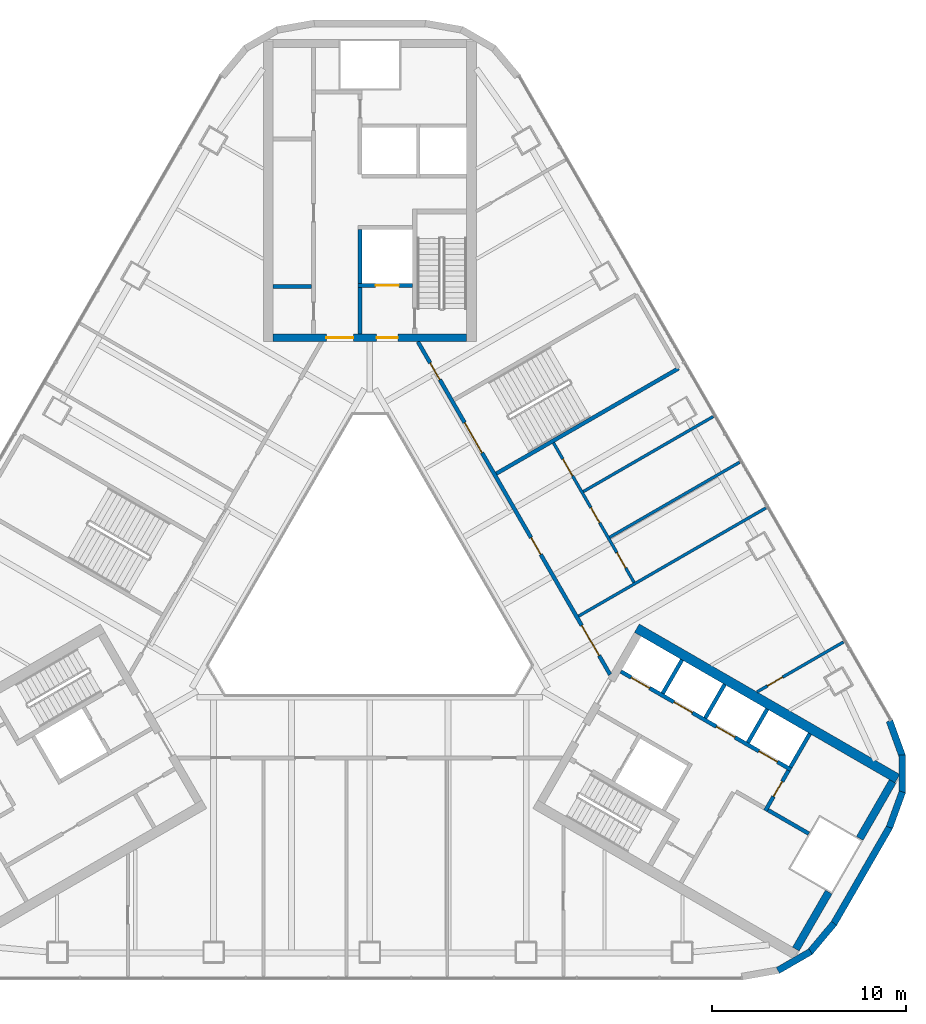
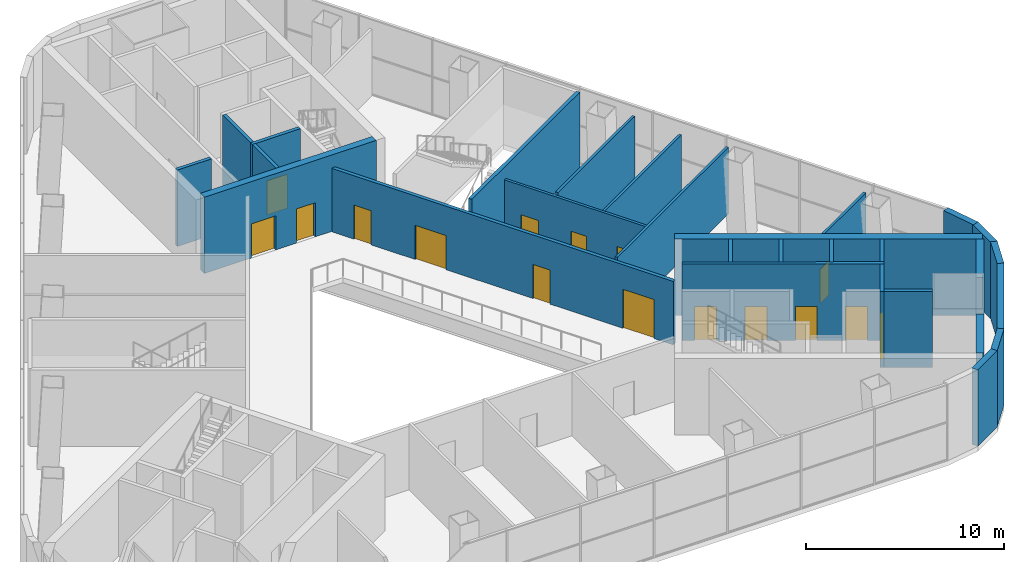
# One storey, part 9 of 13: 28 walls, 16 doors, 16 openings.
"""IFC4 building model written with IfcOpenShell, lengths in metres."""

from ifc_helpers import new_model, si_unit, direction, frame, frame_2d, origin, place, context, subcontext, project, spatial, rectangle, extrude, material, layer, layer_set, type_object, element, fill, save


model = new_model("IFC4")

# Units and contexts
model_context = context("Model", 3, precision=1e-05, world=origin(), true_north=direction((0.0, 1.0)))
body_context = subcontext(model_context, "Body", "Model", "MODEL_VIEW")
ifc_project = project(units=[si_unit("LENGTHUNIT", "METRE"), si_unit("AREAUNIT", "SQUARE_METRE"), si_unit("VOLUMEUNIT", "CUBIC_METRE"), si_unit("PLANEANGLEUNIT", "RADIAN"), si_unit("MASSUNIT", "GRAM", prefix="KILO")], contexts=[model_context])

# Site, building, storey
site_placement = place(None, origin())
site = spatial("IfcSite", under=ifc_project, at=site_placement, CompositionType="ELEMENT")
building_placement = place(site_placement, origin())
building = spatial("IfcBuilding", under=site, at=building_placement, Name="Apuvela Tower Hotel", CompositionType="ELEMENT")
storey_placement = place(building_placement, frame((0.0, 0.0, 23.5)))
storey = spatial("IfcBuildingStorey", under=building, at=storey_placement, Name="L03", CompositionType="ELEMENT", Elevation=23.5)

# Wall, openings, doors
ifc_material_1 = material(Name="Concrete C50/60", Category="concrete")
ifc_layer_1 = layer(ifc_material_1, 0.39990234375)
ifc_layer_set_1 = layer_set([ifc_layer_1], Name="COR-WALL-CORE-400")
wall_type_1 = type_object("IfcWallType", Name="COR-WALL-CORE-400", PredefinedType="SHEAR", material=ifc_layer_set_1)
wall_1_placement = place(storey_placement, frame((5.0, 13.10009765625, 0.0), z_axis=(0.0, 0.0, 1.0), x_axis=(-1.0, 0.0, 0.0)))
wall_1 = element("IfcWall", 1, at=wall_1_placement, inside=storey, type_object=wall_type_1, Name="Core wall N", PredefinedType="SHEAR", context=body_context, shape_type="SweptSolid", body=[
    extrude(rectangle(XDim=10.0, YDim=0.39990234375, at=frame_2d((5.0, 0.0))), origin(), (0.0, 0.0, 1.0), 4.699951171875),
])
opening_1_placement = place(wall_1_placement, frame((3.550048828125, 0.0, 0.0)))
opening_1 = element("IfcOpeningElement", 2, at=opening_1_placement, cuts=wall_1, Name="Opening N-FD", PredefinedType="OPENING", context=body_context, shape_type="SweptSolid", body=[
    extrude(rectangle(XDim=1.10009765625, YDim=2.10009765625, at=frame_2d((0.550048828125, 1.050048828125))), frame((0.0, 0.2099609375, 0.0), z_axis=(0.0, -1.0, 0.0), x_axis=(1.0, 0.0, 0.0)), (0.0, 0.0, 1.0), 0.419921875),
])
opening_2_placement = place(wall_1_placement, frame((5.85009765625, 0.0, 0.0)))
opening_2 = element("IfcOpeningElement", 3, at=opening_2_placement, cuts=wall_1, Name="Opening N-GD", PredefinedType="OPENING", context=body_context, shape_type="SweptSolid", body=[
    extrude(rectangle(XDim=1.39990234375, YDim=2.10009765625, at=frame_2d((0.699951171875, 1.050048828125))), frame((0.0, 0.2099609375, 0.0), z_axis=(0.0, -1.0, 0.0), x_axis=(1.0, 0.0, 0.0)), (0.0, 0.0, 1.0), 0.419921875),
])
ifc_material_2 = material(Name="Steel fire door, powder coated", Category="steel")
door_type_1 = type_object("IfcDoorType", Name="COR-FD-1100", OperationType="NOTDEFINED", PredefinedType="DOOR", material=ifc_material_2)
door_1_placement = place(opening_1_placement, frame((1.10009765625, 0.0, 0.0), z_axis=(0.0, 0.0, 1.0), x_axis=(-1.0, 0.0, 0.0)))
door_1 = element("IfcDoor", 4, at=door_1_placement, inside=storey, type_object=door_type_1, Name="Firefighting lobby door N-FD", OperationType="SINGLE_SWING_LEFT", OverallHeight=2.10009765625, OverallWidth=1.10009765625, PredefinedType="DOOR", context=body_context, shape_type="SweptSolid", body=[
    extrude(rectangle(XDim=1.10009765625, YDim=2.10009765625, at=frame_2d((0.550048828125, 1.050048828125))), frame((0.0, 0.02490234375, 0.0), z_axis=(0.0, -1.0, 0.0), x_axis=(1.0, 0.0, 0.0)), (0.0, 0.0, 1.0), 0.050048828125),
])
fill(opening_1, door_1)
ifc_material_3 = material(Name="Glazed steel fire door", Category="steel")
door_type_2 = type_object("IfcDoorType", Name="COR-GD-1400", OperationType="DOUBLE_DOOR_SINGLE_SWING", PredefinedType="DOOR", material=ifc_material_3)
door_2_placement = place(opening_2_placement, frame((1.39990234375, 0.0, 0.0), z_axis=(0.0, 0.0, 1.0), x_axis=(-1.0, 0.0, 0.0)))
door_2 = element("IfcDoor", 5, at=door_2_placement, inside=storey, type_object=door_type_2, Name="Lift lobby door N-GD", OperationType="DOUBLE_DOOR_SINGLE_SWING", OverallHeight=2.10009765625, OverallWidth=1.39990234375, PredefinedType="DOOR", context=body_context, shape_type="SweptSolid", body=[
    extrude(rectangle(XDim=1.39990234375, YDim=2.10009765625, at=frame_2d((0.699951171875, 1.050048828125))), frame((0.0, 0.02490234375, 0.0), z_axis=(0.0, -1.0, 0.0), x_axis=(1.0, 0.0, 0.0)), (0.0, 0.0, 1.0), 0.050048828125),
])
fill(opening_2, door_2)

# Walls
wall_2_placement = place(storey_placement, frame((25.30859375, -12.764404296875, 0.0), z_axis=(0.0, 0.0, 1.0), x_axis=(0.499977295307, 0.866038511948, 0.0)))
element("IfcWall", 6, at=wall_2_placement, inside=storey, type_object=wall_type_1, Name="Core wall SE", PredefinedType="SHEAR", context=body_context, shape_type="SweptSolid", body=[
    extrude(rectangle(XDim=3.400146484375, YDim=0.39990234375, at=frame_2d((1.7001953125, 0.0))), origin(), (0.0, 0.0, 1.0), 4.699951171875),
])
wall_3_placement = place(storey_placement, frame((22.008544921875, -18.47998046875, 0.0), z_axis=(0.0, 0.0, 1.0), x_axis=(0.500008388397, 0.866020560687, 0.0)))
element("IfcWall", 7, at=wall_3_placement, inside=storey, type_object=wall_type_1, Name="Core wall SE", PredefinedType="SHEAR", context=body_context, shape_type="SweptSolid", body=[
    extrude(rectangle(XDim=3.39990234375, YDim=0.39990234375, at=frame_2d((1.699951171875, 0.0))), origin(), (0.0, 0.0, 1.0), 4.699951171875),
])
ifc_layer_2 = layer(ifc_material_1, 0.5)
ifc_layer_set_2 = layer_set([ifc_layer_2], Name="COR-WALL-CORE-500")
wall_type_2 = type_object("IfcWallType", Name="COR-WALL-CORE-500", PredefinedType="SHEAR", material=ifc_layer_set_2)
wall_4_placement = place(storey_placement, frame((13.796630859375, -1.9033203125, 0.0), z_axis=(0.0, 0.0, 1.0), x_axis=(0.866025760136, -0.499999382781, 0.0)))
element("IfcWall", 8, at=wall_4_placement, inside=storey, type_object=wall_type_2, Name="Core wall SE", PredefinedType="SHEAR", context=body_context, shape_type="SweptSolid", body=[
    extrude(rectangle(XDim=15.54248046875, YDim=0.5, at=frame_2d((7.771240234375, 0.0))), origin(), (0.0, 0.0, 1.0), 4.699951171875),
])

# Wall, opening, door
ifc_layer_3 = layer(ifc_material_1, 0.199951171875)
ifc_layer_set_3 = layer_set([ifc_layer_3], Name="COR-WALL-SHAFT-200")
wall_type_3 = type_object("IfcWallType", Name="COR-WALL-SHAFT-200", PredefinedType="SHEAR", material=ifc_layer_set_3)
wall_5_placement = place(storey_placement, frame((2.199951171875, 15.800048828125, 0.0), z_axis=(0.0, 0.0, 1.0), x_axis=(-1.0, 0.0, 0.0)))
wall_5 = element("IfcWall", 9, at=wall_5_placement, inside=storey, type_object=wall_type_3, Name="Shaft wall N", PredefinedType="SHEAR", context=body_context, shape_type="SweptSolid", body=[
    extrude(rectangle(XDim=2.800048828125, YDim=0.199951171875, at=frame_2d((1.39990234375, 0.0))), origin(), (0.0, 0.0, 1.0), 4.699951171875),
])
opening_3_placement = place(wall_5_placement, frame((0.699951171875, 0.0, 0.0)))
opening_3 = element("IfcOpeningElement", 10, at=opening_3_placement, cuts=wall_5, Name="Opening N-LD-FS1", PredefinedType="OPENING", context=body_context, shape_type="SweptSolid", body=[
    extrude(rectangle(XDim=1.199951171875, YDim=2.10009765625, at=frame_2d((0.60009765625, 1.050048828125))), frame((0.0, 0.10986328125, 0.0), z_axis=(0.0, -1.0, 0.0), x_axis=(1.0, 0.0, 0.0)), (0.0, 0.0, 1.0), 0.219970703125),
])
ifc_material_4 = material(Name="Stainless steel lift landing door", Category="steel")
door_type_3 = type_object("IfcDoorType", Name="COR-LD-1200", OperationType="DOUBLE_DOOR_SLIDING", PredefinedType="DOOR", material=ifc_material_4)
door_3_placement = place(opening_3_placement, origin())
door_3 = element("IfcDoor", 11, at=door_3_placement, inside=storey, type_object=door_type_3, Name="Lift landing door N-LD-FS1", OperationType="DOUBLE_DOOR_SLIDING", OverallHeight=2.10009765625, OverallWidth=1.199951171875, PredefinedType="DOOR", context=body_context, shape_type="SweptSolid", body=[
    extrude(rectangle(XDim=1.199951171875, YDim=2.10009765625, at=frame_2d((0.60009765625, 1.050048828125))), frame((0.0, 0.02490234375, 0.0), z_axis=(0.0, -1.0, 0.0), x_axis=(1.0, 0.0, 0.0)), (0.0, 0.0, 1.0), 0.050048828125),
])
fill(opening_3, door_3)

# Walls
wall_6_placement = place(storey_placement, frame((-0.5, 15.89990234375, 0.0), z_axis=(0.0, 0.0, 1.0), x_axis=(0.0, 1.0, 0.0)))
element("IfcWall", 12, at=wall_6_placement, inside=storey, type_object=wall_type_3, Name="Shaft wall N", PredefinedType="SHEAR", context=body_context, shape_type="SweptSolid", body=[
    extrude(rectangle(XDim=2.800048828125, YDim=0.199951171875, at=frame_2d((1.39990234375, 0.0))), origin(), (0.0, 0.0, 1.0), 4.699951171875),
])
wall_7_placement = place(storey_placement, frame((-0.5, 13.300048828125, 0.0), z_axis=(0.0, 0.0, 1.0), x_axis=(0.0, 1.0, 0.0)))
element("IfcWall", 13, at=wall_7_placement, inside=storey, type_object=wall_type_3, Name="Shaft wall N", PredefinedType="SHEAR", context=body_context, shape_type="SweptSolid", body=[
    extrude(rectangle(XDim=2.39990234375, YDim=0.199951171875, at=frame_2d((1.199951171875, 0.0))), origin(), (0.0, 0.0, 1.0), 4.699951171875),
])
wall_8_placement = place(storey_placement, frame((-3.0, 15.739990234375, 0.0), z_axis=(0.0, 0.0, 1.0), x_axis=(-1.0, 0.0, 0.0)))
element("IfcWall", 14, at=wall_8_placement, inside=storey, type_object=wall_type_3, Name="Shaft wall N", PredefinedType="SHEAR", context=body_context, shape_type="SweptSolid", body=[
    extrude(rectangle(XDim=2.0, YDim=0.199951171875, at=frame_2d((1.0, 0.0))), origin(), (0.0, 0.0, 1.0), 4.699951171875),
])

# Wall, openings, doors
wall_9_placement = place(storey_placement, frame((12.968017578125, -4.138427734375, 0.0), z_axis=(0.0, 0.0, 1.0), x_axis=(0.866028328073, -0.49999493495, 0.0)))
wall_9 = element("IfcWall", 15, at=wall_9_placement, inside=storey, type_object=wall_type_3, Name="Shaft wall SE", PredefinedType="SHEAR", context=body_context, shape_type="SweptSolid", body=[
    extrude(rectangle(XDim=10.16015625, YDim=0.199951171875, at=frame_2d((5.080078125, 0.0))), origin(), (0.0, 0.0, 1.0), 4.699951171875),
])
opening_4_placement = place(wall_9_placement, frame((0.6201171875, 0.0, 0.0)))
opening_4 = element("IfcOpeningElement", 16, at=opening_4_placement, cuts=wall_9, Name="Opening E-LD-LR1", PredefinedType="OPENING", context=body_context, shape_type="SweptSolid", body=[
    extrude(rectangle(XDim=1.10009765625, YDim=2.10009765625, at=frame_2d((0.550048828125, 1.050048828125))), frame((0.0, 0.10986328125, 0.0), z_axis=(0.0, -1.0, 0.0), x_axis=(1.0, 0.0, 0.0)), (0.0, 0.0, 1.0), 0.219970703125),
])
opening_5_placement = place(wall_9_placement, frame((3.159912109375, 0.0, 0.0)))
opening_5 = element("IfcOpeningElement", 17, at=opening_5_placement, cuts=wall_9, Name="Opening E-LD-LR2", PredefinedType="OPENING", context=body_context, shape_type="SweptSolid", body=[
    extrude(rectangle(XDim=1.10009765625, YDim=2.10009765625, at=frame_2d((0.550048828125, 1.050048828125))), frame((0.0, 0.10986328125, 0.0), z_axis=(0.0, -1.0, 0.0), x_axis=(1.0, 0.0, 0.0)), (0.0, 0.0, 1.0), 0.219970703125),
])
opening_6_placement = place(wall_9_placement, frame((5.699951171875, 0.0, 0.0)))
opening_6 = element("IfcOpeningElement", 18, at=opening_6_placement, cuts=wall_9, Name="Opening E-LD-LR3", PredefinedType="OPENING", context=body_context, shape_type="SweptSolid", body=[
    extrude(rectangle(XDim=1.10009765625, YDim=2.10009765625, at=frame_2d((0.550048828125, 1.050048828125))), frame((0.0, 0.10986328125, 0.0), z_axis=(0.0, -1.0, 0.0), x_axis=(1.0, 0.0, 0.0)), (0.0, 0.0, 1.0), 0.219970703125),
])
opening_7_placement = place(wall_9_placement, frame((8.239990234375, 0.0, 0.0)))
opening_7 = element("IfcOpeningElement", 19, at=opening_7_placement, cuts=wall_9, Name="Opening E-LD-LR4", PredefinedType="OPENING", context=body_context, shape_type="SweptSolid", body=[
    extrude(rectangle(XDim=1.10009765625, YDim=2.10009765625, at=frame_2d((0.550048828125, 1.050048828125))), frame((0.0, 0.10986328125, 0.0), z_axis=(0.0, -1.0, 0.0), x_axis=(1.0, 0.0, 0.0)), (0.0, 0.0, 1.0), 0.219970703125),
])
door_type_4 = type_object("IfcDoorType", Name="COR-LD-1100", OperationType="DOUBLE_DOOR_SLIDING", PredefinedType="DOOR", material=ifc_material_4)
door_4_placement = place(opening_4_placement, origin())
door_4 = element("IfcDoor", 20, at=door_4_placement, inside=storey, type_object=door_type_4, Name="Lift landing door E-LD-LR1", OperationType="DOUBLE_DOOR_SLIDING", OverallHeight=2.10009765625, OverallWidth=1.10009765625, PredefinedType="DOOR", context=body_context, shape_type="SweptSolid", body=[
    extrude(rectangle(XDim=1.10009765625, YDim=2.10009765625, at=frame_2d((0.550048828125, 1.050048828125))), frame((0.0, 0.02490234375, 0.0), z_axis=(0.0, -1.0, 0.0), x_axis=(1.0, 0.0, 0.0)), (0.0, 0.0, 1.0), 0.050048828125),
])
fill(opening_4, door_4)
door_5_placement = place(opening_5_placement, origin())
door_5 = element("IfcDoor", 21, at=door_5_placement, inside=storey, type_object=door_type_4, Name="Lift landing door E-LD-LR2", OperationType="DOUBLE_DOOR_SLIDING", OverallHeight=2.10009765625, OverallWidth=1.10009765625, PredefinedType="DOOR", context=body_context, shape_type="SweptSolid", body=[
    extrude(rectangle(XDim=1.10009765625, YDim=2.10009765625, at=frame_2d((0.550048828125, 1.050048828125))), frame((0.0, 0.02490234375, 0.0), z_axis=(0.0, -1.0, 0.0), x_axis=(1.0, 0.0, 0.0)), (0.0, 0.0, 1.0), 0.050048828125),
])
fill(opening_5, door_5)
door_6_placement = place(opening_6_placement, origin())
door_6 = element("IfcDoor", 22, at=door_6_placement, inside=storey, type_object=door_type_4, Name="Lift landing door E-LD-LR3", OperationType="DOUBLE_DOOR_SLIDING", OverallHeight=2.10009765625, OverallWidth=1.10009765625, PredefinedType="DOOR", context=body_context, shape_type="SweptSolid", body=[
    extrude(rectangle(XDim=1.10009765625, YDim=2.10009765625, at=frame_2d((0.550048828125, 1.050048828125))), frame((0.0, 0.02490234375, 0.0), z_axis=(0.0, -1.0, 0.0), x_axis=(1.0, 0.0, 0.0)), (0.0, 0.0, 1.0), 0.050048828125),
])
fill(opening_6, door_6)
door_7_placement = place(opening_7_placement, origin())
door_7 = element("IfcDoor", 23, at=door_7_placement, inside=storey, type_object=door_type_4, Name="Lift landing door E-LD-LR4", OperationType="DOUBLE_DOOR_SLIDING", OverallHeight=2.10009765625, OverallWidth=1.10009765625, PredefinedType="DOOR", context=body_context, shape_type="SweptSolid", body=[
    extrude(rectangle(XDim=1.10009765625, YDim=2.10009765625, at=frame_2d((0.550048828125, 1.050048828125))), frame((0.0, 0.02490234375, 0.0), z_axis=(0.0, -1.0, 0.0), x_axis=(1.0, 0.0, 0.0)), (0.0, 0.0, 1.0), 0.050048828125),
])
fill(opening_7, door_7)

# Wall, opening, door
wall_10_placement = place(storey_placement, frame((20.430419921875, -11.33349609375, 0.0), z_axis=(0.0, 0.0, 1.0), x_axis=(0.500001309137, 0.866024647952, 0.0)))
wall_10 = element("IfcWall", 24, at=wall_10_placement, inside=storey, type_object=wall_type_3, Name="Shaft wall SE", PredefinedType="SHEAR", context=body_context, shape_type="SweptSolid", body=[
    extrude(rectangle(XDim=2.39990234375, YDim=0.199951171875, at=frame_2d((1.199951171875, 0.0))), origin(), (0.0, 0.0, 1.0), 4.699951171875),
])
opening_8_placement = place(wall_10_placement, frame((0.85009765625, 0.0, 0.0)))
opening_8 = element("IfcOpeningElement", 25, at=opening_8_placement, cuts=wall_10, Name="Opening E-REP", PredefinedType="OPENING", context=body_context, shape_type="SweptSolid", body=[
    extrude(rectangle(XDim=0.89990234375, YDim=2.10009765625, at=frame_2d((0.449951171875, 1.050048828125))), frame((0.0, 0.10986328125, 0.0), z_axis=(0.0, -1.0, 0.0), x_axis=(1.0, 0.0, 0.0)), (0.0, 0.0, 1.0), 0.219970703125),
])
door_type_5 = type_object("IfcDoorType", Name="COR-DR-900", OperationType="NOTDEFINED", PredefinedType="DOOR", material=ifc_material_2)
door_8_placement = place(opening_8_placement, frame((0.89990234375, 0.0, 0.0), z_axis=(0.0, 0.0, 1.0), x_axis=(-1.0, 0.0, 0.0)))
door_8 = element("IfcDoor", 26, at=door_8_placement, inside=storey, type_object=door_type_5, Name="Store door E-REP", OperationType="SINGLE_SWING_RIGHT", OverallHeight=2.10009765625, OverallWidth=0.89990234375, PredefinedType="DOOR", context=body_context, shape_type="SweptSolid", body=[
    extrude(rectangle(XDim=0.89990234375, YDim=2.10009765625, at=frame_2d((0.449951171875, 1.050048828125))), frame((0.0, 0.02490234375, 0.0), z_axis=(0.0, -1.0, 0.0), x_axis=(1.0, 0.0, 0.0)), (0.0, 0.0, 1.0), 0.050048828125),
])
fill(opening_8, door_8)

# Walls
for number, where, z_axis, x_axis, name in (
    (27, (15.131103515625, -5.27197265625, 0.0), (0.0, 0.0, 1.0), (0.499972520799, 0.866041268327, 0.0), "Shaft wall SE"),
    (28, (17.330810546875, -6.5419921875, 0.0), (0.0, 0.0, 1.0), (0.499972520799, 0.866041268327, 0.0), "Shaft wall SE"),
    (29, (19.530517578125, -7.81201171875, 0.0), (0.0, 0.0, 1.0), (0.499972520799, 0.866041268327, 0.0), "Shaft wall SE"),
    (30, (21.73046875, -9.081787109375, 0.0), (0.0, 0.0, 1.0), (0.50002537861, 0.866010750942, 0.0), "Shaft wall SE"),
):
    element("IfcWall", number, at=place(storey_placement, frame(where, z_axis=z_axis, x_axis=x_axis)), inside=storey, type_object=wall_type_3, Name=name, PredefinedType="SHEAR", context=body_context, shape_type="SweptSolid", body=[
        extrude(rectangle(XDim=2.0, YDim=0.199951171875, at=frame_2d((1.0, 0.0))), origin(), (0.0, 0.0, 1.0), 4.699951171875),
    ])
wall_11_placement = place(storey_placement, frame((20.56689453125, -11.297119140625, 0.0), z_axis=(0.0, 0.0, 1.0), x_axis=(0.866048967903, -0.499959183527, 0.0)))
element("IfcWall", 31, at=wall_11_placement, inside=storey, type_object=wall_type_3, Name="Shaft wall SE", PredefinedType="SHEAR", context=body_context, shape_type="SweptSolid", body=[
    extrude(rectangle(XDim=2.440185546875, YDim=0.199951171875, at=frame_2d((1.22021484375, 0.0))), origin(), (0.0, 0.0, 1.0), 4.699951171875),
])
ifc_material_5 = material(Name="Concrete C40/50, dark pigmented precast panel", Category="concrete")
ifc_layer_4 = layer(ifc_material_5, 0.35009765625)
ifc_layer_set_4 = layer_set([ifc_layer_4], Name="ENV-WALL-350")
wall_type_4 = type_object("IfcWallType", Name="ENV-WALL-350", PredefinedType="SOLIDWALL", material=ifc_layer_set_4)
for number, where, z_axis, x_axis, name in (
    (32, (21.07958984375, -19.585205078125, 0.0), (0.0, 0.0, 1.0), (0.866027425724, 0.499996497882, 0.0), "External wall L03-17"),
    (33, (22.72509765625, -18.6474609375, 0.0), (0.0, 0.0, 1.0), (0.642737684723, 0.766086332365, 0.0), "External wall L03-18"),
):
    element("IfcWall", number, at=place(storey_placement, frame(where, z_axis=z_axis, x_axis=x_axis)), inside=storey, type_object=wall_type_4, Name=name, PredefinedType="SOLIDWALL", context=body_context, shape_type="SweptSolid", body=[
        extrude(rectangle(XDim=1.95361328125, YDim=0.35009765625, at=frame_2d((0.976806640625, 0.0))), origin(), (0.0, 0.0, 1.0), 4.699951171875),
    ])
wall_12_placement = place(storey_placement, frame((23.963134765625, -17.176025390625, 0.0), z_axis=(0.0, 0.0, 1.0), x_axis=(0.500009758026, 0.866019769912, 0.0)))
element("IfcWall", 34, at=wall_12_placement, inside=storey, type_object=wall_type_4, Name="External wall L03-19", PredefinedType="SOLIDWALL", context=body_context, shape_type="SweptSolid", body=[
    extrude(rectangle(XDim=5.78662109375, YDim=0.35009765625, at=frame_2d((2.893310546875, 0.0))), origin(), (0.0, 0.0, 1.0), 4.699951171875),
])
for number, where, z_axis, x_axis, name in (
    (35, (26.843505859375, -12.1923828125, 0.0), (0.0, 0.0, 1.0), (0.342054111286, 0.939680256764, 0.0), "External wall L03-20"),
    (36, (27.501220703125, -10.41650390625, 0.0), (0.0, 0.0, 1.0), (0.0, 1.0, 0.0), "External wall L03-21"),
    (37, (27.51171875, -8.522705078125, 0.0), (0.0, 0.0, 1.0), (-0.342054111286, 0.939680256764, 0.0), "External wall L03-22"),
):
    element("IfcWall", number, at=place(storey_placement, frame(where, z_axis=z_axis, x_axis=x_axis)), inside=storey, type_object=wall_type_4, Name=name, PredefinedType="SOLIDWALL", context=body_context, shape_type="SweptSolid", body=[
        extrude(rectangle(XDim=1.95361328125, YDim=0.35009765625, at=frame_2d((0.976806640625, 0.0))), origin(), (0.0, 0.0, 1.0), 4.699951171875),
    ])

# Wall, openings, doors
ifc_material_6 = material(Name="Fire-rated gypsum board partition on steel stud", Category="steel")
ifc_layer_5 = layer(ifc_material_6, 0.199951171875)
ifc_layer_set_5 = layer_set([ifc_layer_5], Name="SPC-WALL-CORRIDOR")
wall_type_5 = type_object("IfcWallType", Name="SPC-WALL-CORRIDOR", PredefinedType="PARTITIONING", material=ifc_layer_set_5)
wall_13_placement = place(storey_placement, frame((12.4130859375, -4.300048828125, 0.0), z_axis=(0.0, 0.0, 1.0), x_axis=(-0.50000478328, 0.866022642139, 0.0)))
wall_13 = element("IfcWall", 38, at=wall_13_placement, inside=storey, type_object=wall_type_5, Name="Wall L03-NE-CW", PredefinedType="PARTITIONING", context=body_context, shape_type="SweptSolid", body=[
    extrude(rectangle(XDim=19.861083984375, YDim=0.199951171875, at=frame_2d((9.9306640625, 0.0))), origin(), (0.0, 0.0, 1.0), 3.909912109375),
])
opening_9_placement = place(wall_13_placement, frame((1.133544921875, 0.0, 0.0)))
opening_9 = element("IfcOpeningElement", 39, at=opening_9_placement, cuts=wall_13, Name="Opening L03-S01", PredefinedType="OPENING", context=body_context, shape_type="SweptSolid", body=[
    extrude(rectangle(XDim=1.800048828125, YDim=2.39990234375, at=frame_2d((0.89990234375, 1.199951171875))), frame((0.0, 0.10986328125, 0.0), z_axis=(0.0, -1.0, 0.0), x_axis=(1.0, 0.0, 0.0)), (0.0, 0.0, 1.0), 0.219970703125),
])
opening_10_placement = place(wall_13_placement, frame((17.590087890625, 0.0, 0.0)))
opening_10 = element("IfcOpeningElement", 40, at=opening_10_placement, cuts=wall_13, Name="Opening L03-S03", PredefinedType="OPENING", context=body_context, shape_type="SweptSolid", body=[
    extrude(rectangle(XDim=1.0, YDim=2.10009765625, at=frame_2d((0.5, 1.050048828125))), frame((0.0, 0.10986328125, 0.0), z_axis=(0.0, -1.0, 0.0), x_axis=(1.0, 0.0, 0.0)), (0.0, 0.0, 1.0), 0.219970703125),
])
opening_11_placement = place(wall_13_placement, frame((13.23046875, 0.0, 0.0)))
opening_11 = element("IfcOpeningElement", 41, at=opening_11_placement, cuts=wall_13, Name="Opening L03-S05", PredefinedType="OPENING", context=body_context, shape_type="SweptSolid", body=[
    extrude(rectangle(XDim=1.800048828125, YDim=2.10009765625, at=frame_2d((0.89990234375, 1.050048828125))), frame((0.0, 0.10986328125, 0.0), z_axis=(0.0, -1.0, 0.0), x_axis=(1.0, 0.0, 0.0)), (0.0, 0.0, 1.0), 0.219970703125),
])
opening_12_placement = place(wall_13_placement, frame((7.16796875, 0.0, 0.0)))
opening_12 = element("IfcOpeningElement", 42, at=opening_12_placement, cuts=wall_13, Name="Opening L03-S18", PredefinedType="OPENING", context=body_context, shape_type="SweptSolid", body=[
    extrude(rectangle(XDim=1.0, YDim=2.10009765625, at=frame_2d((0.5, 1.050048828125))), frame((0.0, 0.10986328125, 0.0), z_axis=(0.0, -1.0, 0.0), x_axis=(1.0, 0.0, 0.0)), (0.0, 0.0, 1.0), 0.219970703125),
])
ifc_material_7 = material(Name="Fire-rated hardwood veneer door leaf", Category="wood")
door_type_6 = type_object("IfcDoorType", Name="SPC-DOOR-1000-FD", OperationType="NOTDEFINED", PredefinedType="DOOR", material=ifc_material_7)
door_9_placement = place(opening_10_placement, origin())
door_9 = element("IfcDoor", 43, at=door_9_placement, inside=storey, type_object=door_type_6, Name="L03-S03", OperationType="SINGLE_SWING_RIGHT", OverallHeight=2.10009765625, OverallWidth=1.0, PredefinedType="DOOR", context=body_context, shape_type="SweptSolid", body=[
    extrude(rectangle(XDim=1.0, YDim=2.10009765625, at=frame_2d((0.5, 1.050048828125))), frame((0.0, 0.02490234375, 0.0), z_axis=(0.0, -1.0, 0.0), x_axis=(1.0, 0.0, 0.0)), (0.0, 0.0, 1.0), 0.050048828125),
])
fill(opening_10, door_9)
door_10_placement = place(opening_12_placement, frame((1.0, 0.0, 0.0), z_axis=(0.0, 0.0, 1.0), x_axis=(-1.0, 0.0, 0.0)))
door_10 = element("IfcDoor", 44, at=door_10_placement, inside=storey, type_object=door_type_6, Name="L03-S18", OperationType="SINGLE_SWING_RIGHT", OverallHeight=2.10009765625, OverallWidth=1.0, PredefinedType="DOOR", context=body_context, shape_type="SweptSolid", body=[
    extrude(rectangle(XDim=1.0, YDim=2.10009765625, at=frame_2d((0.5, 1.050048828125))), frame((0.0, 0.02490234375, 0.0), z_axis=(0.0, -1.0, 0.0), x_axis=(1.0, 0.0, 0.0)), (0.0, 0.0, 1.0), 0.050048828125),
])
fill(opening_12, door_10)
door_type_7 = type_object("IfcDoorType", Name="SPC-DOOR-1800-FD", OperationType="NOTDEFINED", PredefinedType="DOOR", material=ifc_material_7)
door_11_placement = place(opening_9_placement, origin())
door_11 = element("IfcDoor", 45, at=door_11_placement, inside=storey, type_object=door_type_7, Name="L03-S01", OperationType="DOUBLE_DOOR_SINGLE_SWING", OverallHeight=2.39990234375, OverallWidth=1.800048828125, PredefinedType="DOOR", context=body_context, shape_type="SweptSolid", body=[
    extrude(rectangle(XDim=1.800048828125, YDim=2.39990234375, at=frame_2d((0.89990234375, 1.199951171875))), frame((0.0, 0.02490234375, 0.0), z_axis=(0.0, -1.0, 0.0), x_axis=(1.0, 0.0, 0.0)), (0.0, 0.0, 1.0), 0.050048828125),
])
fill(opening_9, door_11)
ifc_material_8 = material(Name="Steel fire door leaf", Category="steel")
door_type_8 = type_object("IfcDoorType", Name="SPC-DOOR-1800-STAIR", OperationType="NOTDEFINED", PredefinedType="DOOR", material=ifc_material_8)
door_12_placement = place(opening_11_placement, frame((1.800048828125, 0.0, 0.0), z_axis=(0.0, 0.0, 1.0), x_axis=(-1.0, 0.0, 0.0)))
door_12 = element("IfcDoor", 46, at=door_12_placement, inside=storey, type_object=door_type_8, Name="L03-S05", OperationType="DOUBLE_DOOR_SINGLE_SWING", OverallHeight=2.10009765625, OverallWidth=1.800048828125, PredefinedType="DOOR", context=body_context, shape_type="SweptSolid", body=[
    extrude(rectangle(XDim=1.800048828125, YDim=2.10009765625, at=frame_2d((0.89990234375, 1.050048828125))), frame((0.0, 0.02490234375, 0.0), z_axis=(0.0, -1.0, 0.0), x_axis=(1.0, 0.0, 0.0)), (0.0, 0.0, 1.0), 0.050048828125),
])
fill(opening_11, door_12)

ifc_material_9 = material(Name="Gypsum board partition on steel stud", Category="steel")
ifc_layer_6 = layer(ifc_material_9, 0.14990234375)
ifc_layer_set_6 = layer_set([ifc_layer_6], Name="SPC-WALL-PARTITION")
wall_type_6 = type_object("IfcWallType", Name="SPC-WALL-PARTITION", PredefinedType="PARTITIONING", material=ifc_layer_set_6)
wall_14_placement = place(storey_placement, frame((13.650390625, 0.462158203125, 0.0), z_axis=(0.0, 0.0, 1.0), x_axis=(-0.499983926186, 0.866034683806, 0.0)))
wall_14 = element("IfcWall", 47, at=wall_14_placement, inside=storey, type_object=wall_type_6, Name="Wall L03-NE-P01", PredefinedType="PARTITIONING", context=body_context, shape_type="SweptSolid", body=[
    extrude(rectangle(XDim=8.324951171875, YDim=0.14990234375, at=frame_2d((4.16259765625, 0.0))), origin(), (0.0, 0.0, 1.0), 3.909912109375),
])
opening_13_placement = place(wall_14_placement, frame((6.3544921875, 0.0, 0.0)))
opening_13 = element("IfcOpeningElement", 48, at=opening_13_placement, cuts=wall_14, Name="Opening L03-S17", PredefinedType="OPENING", context=body_context, shape_type="SweptSolid", body=[
    extrude(rectangle(XDim=1.0, YDim=2.10009765625, at=frame_2d((0.5, 1.050048828125))), frame((0.0, 0.0849609375, 0.0), z_axis=(0.0, -1.0, 0.0), x_axis=(1.0, 0.0, 0.0)), (0.0, 0.0, 1.0), 0.169921875),
])
opening_14_placement = place(wall_14_placement, frame((3.5625, 0.0, 0.0)))
opening_14 = element("IfcOpeningElement", 49, at=opening_14_placement, cuts=wall_14, Name="Opening L03-S19", PredefinedType="OPENING", context=body_context, shape_type="SweptSolid", body=[
    extrude(rectangle(XDim=0.89990234375, YDim=2.10009765625, at=frame_2d((0.449951171875, 1.050048828125))), frame((0.0, 0.0849609375, 0.0), z_axis=(0.0, -1.0, 0.0), x_axis=(1.0, 0.0, 0.0)), (0.0, 0.0, 1.0), 0.169921875),
])
opening_15_placement = place(wall_14_placement, frame((0.87060546875, 0.0, 0.0)))
opening_15 = element("IfcOpeningElement", 50, at=opening_15_placement, cuts=wall_14, Name="Opening L03-S20", PredefinedType="OPENING", context=body_context, shape_type="SweptSolid", body=[
    extrude(rectangle(XDim=0.89990234375, YDim=2.10009765625, at=frame_2d((0.449951171875, 1.050048828125))), frame((0.0, 0.0849609375, 0.0), z_axis=(0.0, -1.0, 0.0), x_axis=(1.0, 0.0, 0.0)), (0.0, 0.0, 1.0), 0.169921875),
])
ifc_material_10 = material(Name="Hardwood veneer door leaf", Category="wood")
door_type_9 = type_object("IfcDoorType", Name="SPC-DOOR-1000", OperationType="NOTDEFINED", PredefinedType="DOOR", material=ifc_material_10)
door_13_placement = place(opening_13_placement, frame((1.0, 0.0, 0.0), z_axis=(0.0, 0.0, 1.0), x_axis=(-1.0, 0.0, 0.0)))
door_13 = element("IfcDoor", 51, at=door_13_placement, inside=storey, type_object=door_type_9, Name="L03-S17", OperationType="SINGLE_SWING_LEFT", OverallHeight=2.10009765625, OverallWidth=1.0, PredefinedType="DOOR", context=body_context, shape_type="SweptSolid", body=[
    extrude(rectangle(XDim=1.0, YDim=2.10009765625, at=frame_2d((0.5, 1.050048828125))), frame((0.0, 0.02490234375, 0.0), z_axis=(0.0, -1.0, 0.0), x_axis=(1.0, 0.0, 0.0)), (0.0, 0.0, 1.0), 0.050048828125),
])
fill(opening_13, door_13)
door_type_10 = type_object("IfcDoorType", Name="SPC-DOOR-900", OperationType="NOTDEFINED", PredefinedType="DOOR", material=ifc_material_10)
door_14_placement = place(opening_14_placement, frame((0.89990234375, 0.0, 0.0), z_axis=(0.0, 0.0, 1.0), x_axis=(-1.0, 0.0, 0.0)))
door_14 = element("IfcDoor", 52, at=door_14_placement, inside=storey, type_object=door_type_10, Name="L03-S19", OperationType="SINGLE_SWING_LEFT", OverallHeight=2.10009765625, OverallWidth=0.89990234375, PredefinedType="DOOR", context=body_context, shape_type="SweptSolid", body=[
    extrude(rectangle(XDim=0.89990234375, YDim=2.10009765625, at=frame_2d((0.449951171875, 1.050048828125))), frame((0.0, 0.02490234375, 0.0), z_axis=(0.0, -1.0, 0.0), x_axis=(1.0, 0.0, 0.0)), (0.0, 0.0, 1.0), 0.050048828125),
])
fill(opening_14, door_14)
door_15_placement = place(opening_15_placement, frame((0.89990234375, 0.0, 0.0), z_axis=(0.0, 0.0, 1.0), x_axis=(-1.0, 0.0, 0.0)))
door_15 = element("IfcDoor", 53, at=door_15_placement, inside=storey, type_object=door_type_10, Name="L03-S20", OperationType="SINGLE_SWING_RIGHT", OverallHeight=2.10009765625, OverallWidth=0.89990234375, PredefinedType="DOOR", context=body_context, shape_type="SweptSolid", body=[
    extrude(rectangle(XDim=0.89990234375, YDim=2.10009765625, at=frame_2d((0.449951171875, 1.050048828125))), frame((0.0, 0.02490234375, 0.0), z_axis=(0.0, -1.0, 0.0), x_axis=(1.0, 0.0, 0.0)), (0.0, 0.0, 1.0), 0.050048828125),
])
fill(opening_15, door_15)

# Wall, opening, door
wall_15_placement = place(storey_placement, frame((24.463134765625, -2.619384765625, 0.0), z_axis=(0.0, 0.0, 1.0), x_axis=(-0.866015973267, -0.50001633378, 0.0)))
wall_15 = element("IfcWall", 54, at=wall_15_placement, inside=storey, type_object=wall_type_6, Name="Wall L03-NE-P02", PredefinedType="PARTITIONING", context=body_context, shape_type="SweptSolid", body=[
    extrude(rectangle(XDim=5.153564453125, YDim=0.14990234375, at=frame_2d((2.57666015625, 0.0))), origin(), (0.0, 0.0, 1.0), 4.10009765625),
])
opening_16_placement = place(wall_15_placement, frame((3.626708984375, 0.0, 0.0)))
opening_16 = element("IfcOpeningElement", 55, at=opening_16_placement, cuts=wall_15, Name="Opening L03-S02", PredefinedType="OPENING", context=body_context, shape_type="SweptSolid", body=[
    extrude(rectangle(XDim=0.89990234375, YDim=2.10009765625, at=frame_2d((0.449951171875, 1.050048828125))), frame((0.0, 0.0849609375, 0.0), z_axis=(0.0, -1.0, 0.0), x_axis=(1.0, 0.0, 0.0)), (0.0, 0.0, 1.0), 0.169921875),
])
door_16_placement = place(opening_16_placement, origin())
door_16 = element("IfcDoor", 56, at=door_16_placement, inside=storey, type_object=door_type_10, Name="L03-S02", OperationType="SINGLE_SWING_LEFT", OverallHeight=2.10009765625, OverallWidth=0.89990234375, PredefinedType="DOOR", context=body_context, shape_type="SweptSolid", body=[
    extrude(rectangle(XDim=0.89990234375, YDim=2.10009765625, at=frame_2d((0.449951171875, 1.050048828125))), frame((0.0, 0.02490234375, 0.0), z_axis=(0.0, -1.0, 0.0), x_axis=(1.0, 0.0, 0.0)), (0.0, 0.0, 1.0), 0.050048828125),
])
fill(opening_16, door_16)

# Walls
wall_16_placement = place(storey_placement, frame((20.463134765625, 4.308837890625, 0.0), z_axis=(0.0, 0.0, 1.0), x_axis=(-0.866020428917, -0.500008616625, 0.0)))
element("IfcWall", 57, at=wall_16_placement, inside=storey, type_object=wall_type_6, Name="Wall L03-NE-P03", PredefinedType="PARTITIONING", context=body_context, shape_type="SweptSolid", body=[
    extrude(rectangle(XDim=11.176025390625, YDim=0.14990234375, at=frame_2d((5.587890625, 0.0))), origin(), (0.0, 0.0, 1.0), 4.10009765625),
])
wall_17_placement = place(storey_placement, frame((19.1005859375, 6.668701171875, 0.0), z_axis=(0.0, 0.0, 1.0), x_axis=(-0.866031845665, -0.499988842169, 0.0)))
element("IfcWall", 58, at=wall_17_placement, inside=storey, type_object=wall_type_6, Name="Wall L03-NE-P04", PredefinedType="PARTITIONING", context=body_context, shape_type="SweptSolid", body=[
    extrude(rectangle(XDim=7.748291015625, YDim=0.14990234375, at=frame_2d((3.8740234375, 0.0))), origin(), (0.0, 0.0, 1.0), 3.909912109375),
])
wall_18_placement = place(storey_placement, frame((17.738037109375, 9.02880859375, 0.0), z_axis=(0.0, 0.0, 1.0), x_axis=(-0.866010323949, -0.500026118132, 0.0)))
element("IfcWall", 59, at=wall_18_placement, inside=storey, type_object=wall_type_6, Name="Wall L03-NE-P05", PredefinedType="PARTITIONING", context=body_context, shape_type="SweptSolid", body=[
    extrude(rectangle(XDim=7.748046875, YDim=0.14990234375, at=frame_2d((3.8740234375, 0.0))), origin(), (0.0, 0.0, 1.0), 4.10009765625),
])
ifc_material_11 = material(Name="Concrete C40/50", Category="concrete")
ifc_layer_7 = layer(ifc_material_11, 0.199951171875)
ifc_layer_set_7 = layer_set([ifc_layer_7], Name="SPC-WALL-STAIR")
wall_type_7 = type_object("IfcWallType", Name="SPC-WALL-STAIR", PredefinedType="SOLIDWALL", material=ifc_layer_set_7)
wall_19_placement = place(storey_placement, frame((15.947998046875, 11.51708984375, 0.0), z_axis=(0.0, 0.0, 1.0), x_axis=(-0.86602026553, -0.500008899612, 0.0)))
element("IfcWall", 60, at=wall_19_placement, inside=storey, type_object=wall_type_7, Name="Wall L03-NE-P06", PredefinedType="SOLIDWALL", context=body_context, shape_type="SweptSolid", body=[
    extrude(rectangle(XDim=10.869873046875, YDim=0.199951171875, at=frame_2d((5.43505859375, 0.0))), origin(), (0.0, 0.0, 1.0), 4.699951171875),
])

save(model, "model.ifc")
